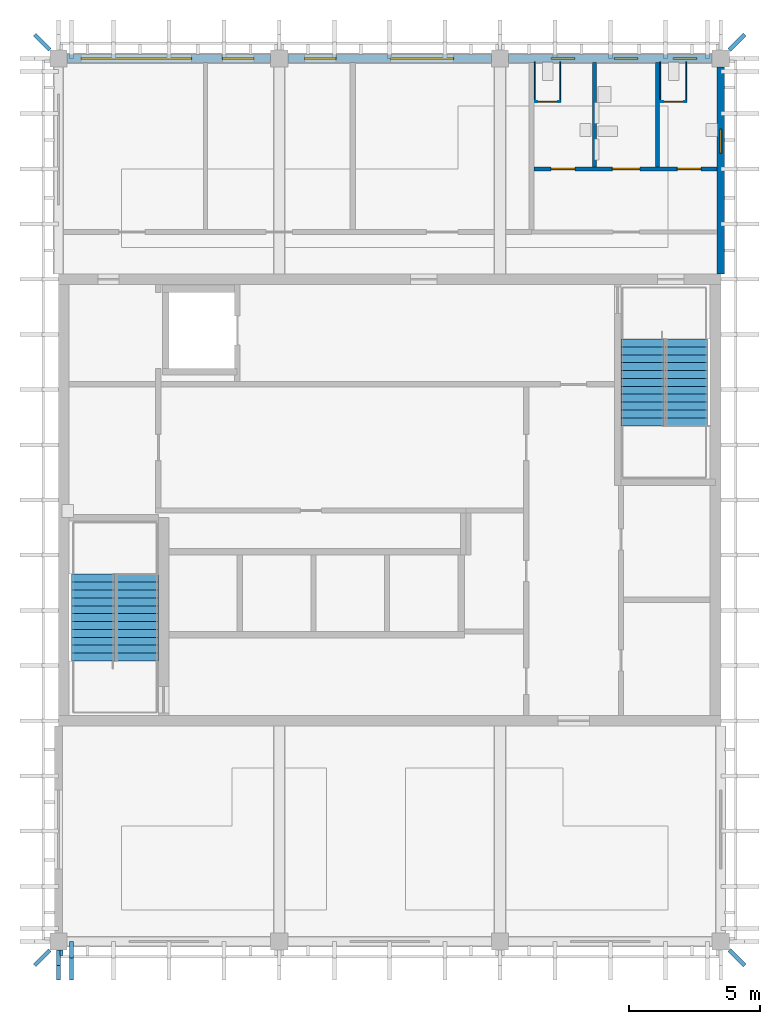
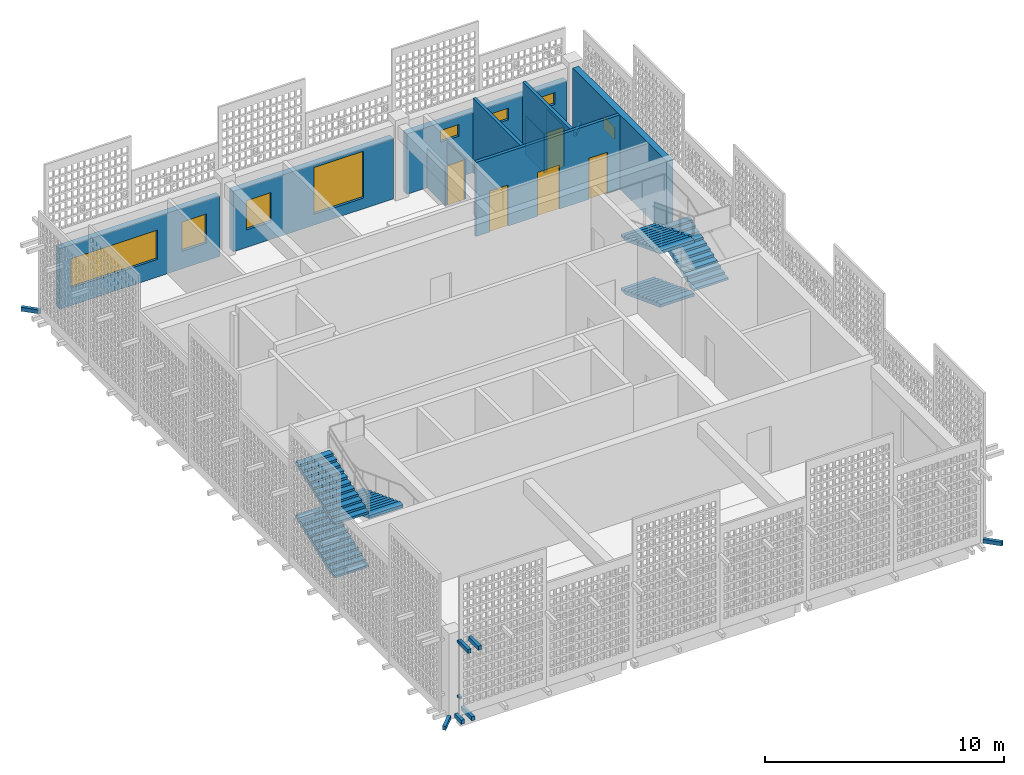
# One storey, part 3 of 23: 13 walls, 10 discrete accessories, 8 windows, 6 stair flights, 5 doors, 13 openings, 2 elements without a shape of their own.
"""IFC4 building model written with IfcOpenShell, lengths in metres."""

from ifc_helpers import new_model, si_unit, direction, frame, frame_2d, origin, origin_2d, place, context, subcontext, project, spatial, polyline, rectangle, outline, extrude, material, layer, layer_set, type_object, element, fill, aggregate, save


model = new_model("IFC4")

# Units and contexts
model_context = context("Model", 3, precision=1e-05, world=origin(), true_north=direction((0.0, 1.0)))
body_context = subcontext(model_context, "Body", "Model", "MODEL_VIEW")
ifc_project = project(units=[si_unit("LENGTHUNIT", "METRE"), si_unit("AREAUNIT", "SQUARE_METRE"), si_unit("VOLUMEUNIT", "CUBIC_METRE"), si_unit("PLANEANGLEUNIT", "RADIAN"), si_unit("MASSUNIT", "GRAM", prefix="KILO")], contexts=[model_context])

# Site, building, storey
site_placement = place(None, origin())
site = spatial("IfcSite", under=ifc_project, at=site_placement, CompositionType="ELEMENT")
building_placement = place(site_placement, origin())
building = spatial("IfcBuilding", under=site, at=building_placement, Name="Rulbaag Community and Learning Centre", CompositionType="ELEMENT")
storey_placement = place(building_placement, frame((0.0, 0.0, 64.800048828125)))
storey = spatial("IfcBuildingStorey", under=building, at=storey_placement, Name="L17", CompositionType="ELEMENT", Elevation=64.800048828125)

# Walls
ifc_material_1 = material(Name="High pressure laminate", Category="wood")
ifc_layer_1 = layer(ifc_material_1, 0.0400390625)
ifc_layer_set_1 = layer_set([ifc_layer_1], Name="CP-40")
wall_type_1 = type_object("IfcWallType", Name="CP-40", PredefinedType="PARTITIONING", material=ifc_layer_set_1)
for number, where, z_axis, x_axis, name in (
    (1, (160.919921875, 117.469970703125, 0.0), (0.0, 0.0, 1.0), (0.0, -1.0, 0.0), "Cubicle partition"),
    (2, (161.889892578125, 117.469970703125, 0.0), (0.0, 0.0, 1.0), (0.0, -1.0, 0.0), "Cubicle partition"),
):
    element("IfcWall", number, at=place(storey_placement, frame(where, z_axis=z_axis, x_axis=x_axis)), inside=storey, type_object=wall_type_1, Name=name, PredefinedType="PARTITIONING", context=body_context, shape_type="SweptSolid", body=[
        extrude(rectangle(XDim=1.5400390625, YDim=0.0400390625, at=frame_2d((0.77001953125, 0.0))), origin(), (0.0, 0.0, 1.0), 2.0),
    ])

# Wall, opening, door
wall_1_placement = place(storey_placement, frame((160.93994140625, 115.949951171875, 0.0), z_axis=(0.0, 0.0, 1.0), x_axis=(1.0, 0.0, 0.0)))
wall_1 = element("IfcWall", 3, at=wall_1_placement, inside=storey, type_object=wall_type_1, Name="Cubicle partition", PredefinedType="PARTITIONING", context=body_context, shape_type="SweptSolid", body=[
    extrude(rectangle(XDim=0.93017578125, YDim=0.0400390625, at=frame_2d((0.465087890625, 0.0))), origin(), (0.0, 0.0, 1.0), 2.0),
])
opening_1_placement = place(wall_1_placement, frame((0.080078125, 0.0, 0.0)))
opening_1 = element("IfcOpeningElement", 4, at=opening_1_placement, cuts=wall_1, Name="Opening L17-D013", PredefinedType="OPENING", context=body_context, shape_type="SweptSolid", body=[
    extrude(rectangle(XDim=0.800048828125, YDim=2.0, at=frame_2d((0.39990234375, 1.0))), frame((0.0, 0.030029296875, 0.0), z_axis=(0.0, -1.0, 0.0), x_axis=(1.0, 0.0, 0.0)), (0.0, 0.0, 1.0), 0.06005859375),
])
door_type_1 = type_object("IfcDoorType", Name="DC-80", OperationType="SINGLE_SWING_LEFT", PredefinedType="DOOR", material=ifc_material_1)
door_1_placement = place(opening_1_placement, origin())
door_1 = element("IfcDoor", 5, at=door_1_placement, inside=storey, type_object=door_type_1, Name="Cubicle door", OperationType="SINGLE_SWING_LEFT", OverallHeight=2.0, OverallWidth=0.800048828125, PredefinedType="DOOR", context=body_context, shape_type="SweptSolid", body=[
    extrude(rectangle(XDim=0.800048828125, YDim=2.0, at=frame_2d((0.39990234375, 1.0))), frame((0.0, 0.019775390625, 0.0), z_axis=(0.0, -1.0, 0.0), x_axis=(1.0, 0.0, 0.0)), (0.0, 0.0, 1.0), 0.03955078125),
])
fill(opening_1, door_1)

# Walls
for number, where, z_axis, x_axis, name in (
    (6, (165.695068359375, 117.469970703125, 0.0), (0.0, 0.0, 1.0), (0.0, -1.0, 0.0), "Cubicle partition"),
    (7, (166.68994140625, 117.469970703125, 0.0), (0.0, 0.0, 1.0), (0.0, -1.0, 0.0), "Cubicle partition"),
):
    element("IfcWall", number, at=place(storey_placement, frame(where, z_axis=z_axis, x_axis=x_axis)), inside=storey, type_object=wall_type_1, Name=name, PredefinedType="PARTITIONING", context=body_context, shape_type="SweptSolid", body=[
        extrude(rectangle(XDim=1.5400390625, YDim=0.0400390625, at=frame_2d((0.77001953125, 0.0))), origin(), (0.0, 0.0, 1.0), 2.0),
    ])

# Wall, opening, door
wall_2_placement = place(storey_placement, frame((165.715087890625, 115.949951171875, 0.0), z_axis=(0.0, 0.0, 1.0), x_axis=(1.0, 0.0, 0.0)))
wall_2 = element("IfcWall", 8, at=wall_2_placement, inside=storey, type_object=wall_type_1, Name="Cubicle partition", PredefinedType="PARTITIONING", context=body_context, shape_type="SweptSolid", body=[
    extrude(rectangle(XDim=0.954833984375, YDim=0.0400390625, at=frame_2d((0.4775390625, 0.0))), origin(), (0.0, 0.0, 1.0), 2.0),
])
opening_2_placement = place(wall_2_placement, frame((0.10498046875, 0.0, 0.0)))
opening_2 = element("IfcOpeningElement", 9, at=opening_2_placement, cuts=wall_2, Name="Opening L17-D023", PredefinedType="OPENING", context=body_context, shape_type="SweptSolid", body=[
    extrude(rectangle(XDim=0.800048828125, YDim=2.0, at=frame_2d((0.39990234375, 1.0))), frame((0.0, 0.030029296875, 0.0), z_axis=(0.0, -1.0, 0.0), x_axis=(1.0, 0.0, 0.0)), (0.0, 0.0, 1.0), 0.06005859375),
])
door_2_placement = place(opening_2_placement, origin())
door_2 = element("IfcDoor", 10, at=door_2_placement, inside=storey, type_object=door_type_1, Name="Cubicle door", OperationType="SINGLE_SWING_LEFT", OverallHeight=2.0, OverallWidth=0.800048828125, PredefinedType="DOOR", context=body_context, shape_type="SweptSolid", body=[
    extrude(rectangle(XDim=0.800048828125, YDim=2.0, at=frame_2d((0.39990234375, 1.0))), frame((0.0, 0.019775390625, 0.0), z_axis=(0.0, -1.0, 0.0), x_axis=(1.0, 0.0, 0.0)), (0.0, 0.0, 1.0), 0.03955078125),
])
fill(opening_2, door_2)

# Wall, openings, windows
ifc_material_2 = material(Name="Concrete M40", Category="concrete")
ifc_layer_2 = layer(ifc_material_2, 0.300048828125)
ifc_layer_set_2 = layer_set([ifc_layer_2], Name="EW-CONC300-120")
wall_type_2 = type_object("IfcWallType", Name="EW-CONC300-120", PredefinedType="STANDARD", material=ifc_layer_set_2)
wall_3_placement = place(storey_placement, frame((143.125, 117.60009765625, 0.0), z_axis=(0.0, 0.0, 1.0), x_axis=(1.0, 0.0, 0.0)))
wall_3 = element("IfcWall", 11, at=wall_3_placement, inside=storey, type_object=wall_type_2, Name="Board-marked concrete cladding wall BN", PredefinedType="STANDARD", context=body_context, shape_type="SweptSolid", body=[
    extrude(rectangle(XDim=7.75, YDim=0.300048828125, at=frame_2d((3.875, 0.0))), origin(), (0.0, 0.0, 1.0), 3.099853515625),
])
opening_3_placement = place(wall_3_placement, frame((0.53759765625, 0.0, 0.89990234375)))
opening_3 = element("IfcOpeningElement", 12, at=opening_3_placement, cuts=wall_3, Name="Opening WN4", PredefinedType="OPENING", context=body_context, shape_type="SweptSolid", body=[
    extrude(rectangle(XDim=4.199951171875, YDim=1.5, at=frame_2d((2.10009765625, 0.75))), frame((0.0, 0.159912109375, 0.0), z_axis=(0.0, -1.0, 0.0), x_axis=(1.0, 0.0, 0.0)), (0.0, 0.0, 1.0), 0.320068359375),
])
opening_4_placement = place(wall_3_placement, frame((5.91259765625, 0.0, 0.89990234375)))
opening_4 = element("IfcOpeningElement", 13, at=opening_4_placement, cuts=wall_3, Name="Opening WN1", PredefinedType="OPENING", context=body_context, shape_type="SweptSolid", body=[
    extrude(rectangle(XDim=1.199951171875, YDim=1.5, at=frame_2d((0.60009765625, 0.75))), frame((0.0, 0.159912109375, 0.0), z_axis=(0.0, -1.0, 0.0), x_axis=(1.0, 0.0, 0.0)), (0.0, 0.0, 1.0), 0.320068359375),
])
ifc_material_3 = material(Name="Aluminium", Category="aluminium")
window_type_1 = type_object("IfcWindowType", Name="WN-12", PartitioningType="SINGLE_PANEL", PredefinedType="WINDOW", material=ifc_material_3)
window_1_placement = place(opening_4_placement, origin())
window_1 = element("IfcWindow", 14, at=window_1_placement, inside=storey, type_object=window_type_1, Name="Window WN1", OverallHeight=1.5, OverallWidth=1.199951171875, PartitioningType="SINGLE_PANEL", PredefinedType="WINDOW", context=body_context, shape_type="SweptSolid", body=[
    extrude(rectangle(XDim=1.199951171875, YDim=1.5, at=frame_2d((0.60009765625, 0.75))), frame((0.0, 0.030029296875, 0.0), z_axis=(0.0, -1.0, 0.0), x_axis=(1.0, 0.0, 0.0)), (0.0, 0.0, 1.0), 0.06005859375),
])
fill(opening_4, window_1)
window_type_2 = type_object("IfcWindowType", Name="WN-42", PartitioningType="TRIPLE_PANEL_VERTICAL", PredefinedType="WINDOW", material=ifc_material_3)
window_2_placement = place(opening_3_placement, origin())
window_2 = element("IfcWindow", 15, at=window_2_placement, inside=storey, type_object=window_type_2, Name="Window WN4", OverallHeight=1.5, OverallWidth=4.199951171875, PartitioningType="SINGLE_PANEL", PredefinedType="WINDOW", context=body_context, shape_type="SweptSolid", body=[
    extrude(rectangle(XDim=4.199951171875, YDim=1.5, at=frame_2d((2.10009765625, 0.75))), frame((0.0, 0.030029296875, 0.0), z_axis=(0.0, -1.0, 0.0), x_axis=(1.0, 0.0, 0.0)), (0.0, 0.0, 1.0), 0.06005859375),
])
fill(opening_3, window_2)

wall_4_placement = place(storey_placement, frame((151.52490234375, 117.60009765625, 0.0), z_axis=(0.0, 0.0, 1.0), x_axis=(1.0, 0.0, 0.0)))
wall_4 = element("IfcWall", 16, at=wall_4_placement, inside=storey, type_object=wall_type_2, Name="Board-marked concrete cladding wall BN", PredefinedType="STANDARD", context=body_context, shape_type="SweptSolid", body=[
    extrude(rectangle(XDim=7.75, YDim=0.300048828125, at=frame_2d((3.875, 0.0))), origin(), (0.0, 0.0, 1.0), 3.099853515625),
])
opening_5_placement = place(wall_4_placement, frame((0.637451171875, 0.0, 0.89990234375)))
opening_5 = element("IfcOpeningElement", 17, at=opening_5_placement, cuts=wall_4, Name="Opening WN1", PredefinedType="OPENING", context=body_context, shape_type="SweptSolid", body=[
    extrude(rectangle(XDim=1.199951171875, YDim=1.5, at=frame_2d((0.60009765625, 0.75))), frame((0.0, 0.159912109375, 0.0), z_axis=(0.0, -1.0, 0.0), x_axis=(1.0, 0.0, 0.0)), (0.0, 0.0, 1.0), 0.320068359375),
])
opening_6_placement = place(wall_4_placement, frame((3.91259765625, 0.0, 0.550048828125)))
opening_6 = element("IfcOpeningElement", 18, at=opening_6_placement, cuts=wall_4, Name="Opening WN8", PredefinedType="OPENING", context=body_context, shape_type="SweptSolid", body=[
    extrude(rectangle(XDim=2.39990234375, YDim=2.39990234375, at=frame_2d((1.199951171875, 1.199951171875))), frame((0.0, 0.159912109375, 0.0), z_axis=(0.0, -1.0, 0.0), x_axis=(1.0, 0.0, 0.0)), (0.0, 0.0, 1.0), 0.320068359375),
])
window_type_3 = type_object("IfcWindowType", Name="LV-24", PartitioningType="SINGLE_PANEL", PredefinedType="WINDOW", material=ifc_material_3)
window_3_placement = place(opening_6_placement, origin())
window_3 = element("IfcWindow", 19, at=window_3_placement, inside=storey, type_object=window_type_3, Name="Window WN8", OverallHeight=2.39990234375, OverallWidth=2.39990234375, PartitioningType="SINGLE_PANEL", PredefinedType="WINDOW", context=body_context, shape_type="SweptSolid", body=[
    extrude(rectangle(XDim=2.39990234375, YDim=2.39990234375, at=frame_2d((1.199951171875, 1.199951171875))), frame((0.0, 0.030029296875, 0.0), z_axis=(0.0, -1.0, 0.0), x_axis=(1.0, 0.0, 0.0)), (0.0, 0.0, 1.0), 0.06005859375),
])
fill(opening_6, window_3)
window_4_placement = place(opening_5_placement, origin())
window_4 = element("IfcWindow", 20, at=window_4_placement, inside=storey, type_object=window_type_1, Name="Window WN1", OverallHeight=1.5, OverallWidth=1.199951171875, PartitioningType="SINGLE_PANEL", PredefinedType="WINDOW", context=body_context, shape_type="SweptSolid", body=[
    extrude(rectangle(XDim=1.199951171875, YDim=1.5, at=frame_2d((0.60009765625, 0.75))), frame((0.0, 0.030029296875, 0.0), z_axis=(0.0, -1.0, 0.0), x_axis=(1.0, 0.0, 0.0)), (0.0, 0.0, 1.0), 0.06005859375),
])
fill(opening_5, window_4)

wall_5_placement = place(storey_placement, frame((159.925048828125, 117.60009765625, 0.0), z_axis=(0.0, 0.0, 1.0), x_axis=(1.0, 0.0, 0.0)))
wall_5 = element("IfcWall", 21, at=wall_5_placement, inside=storey, type_object=wall_type_2, Name="Board-marked concrete cladding wall BN", PredefinedType="STANDARD", context=body_context, shape_type="SweptSolid", body=[
    extrude(rectangle(XDim=7.75, YDim=0.300048828125, at=frame_2d((3.875, 0.0))), origin(), (0.0, 0.0, 1.0), 3.099853515625),
])
opening_7_placement = place(wall_5_placement, frame((1.625, 0.0, 2.10009765625)))
opening_7 = element("IfcOpeningElement", 22, at=opening_7_placement, cuts=wall_5, Name="Opening WN5", PredefinedType="OPENING", context=body_context, shape_type="SweptSolid", body=[
    extrude(rectangle(XDim=0.89990234375, YDim=0.60009765625, at=frame_2d((0.449951171875, 0.300048828125))), frame((0.0, 0.159912109375, 0.0), z_axis=(0.0, -1.0, 0.0), x_axis=(1.0, 0.0, 0.0)), (0.0, 0.0, 1.0), 0.320068359375),
])
opening_8_placement = place(wall_5_placement, frame((4.02490234375, 0.0, 2.10009765625)))
opening_8 = element("IfcOpeningElement", 23, at=opening_8_placement, cuts=wall_5, Name="Opening WN5", PredefinedType="OPENING", context=body_context, shape_type="SweptSolid", body=[
    extrude(rectangle(XDim=0.89990234375, YDim=0.60009765625, at=frame_2d((0.449951171875, 0.300048828125))), frame((0.0, 0.159912109375, 0.0), z_axis=(0.0, -1.0, 0.0), x_axis=(1.0, 0.0, 0.0)), (0.0, 0.0, 1.0), 0.320068359375),
])
opening_9_placement = place(wall_5_placement, frame((6.262451171875, 0.0, 2.10009765625)))
opening_9 = element("IfcOpeningElement", 24, at=opening_9_placement, cuts=wall_5, Name="Opening WN5", PredefinedType="OPENING", context=body_context, shape_type="SweptSolid", body=[
    extrude(rectangle(XDim=0.89990234375, YDim=0.60009765625, at=frame_2d((0.449951171875, 0.300048828125))), frame((0.0, 0.159912109375, 0.0), z_axis=(0.0, -1.0, 0.0), x_axis=(1.0, 0.0, 0.0)), (0.0, 0.0, 1.0), 0.320068359375),
])
window_type_4 = type_object("IfcWindowType", Name="WK-09", PartitioningType="SINGLE_PANEL", PredefinedType="WINDOW", material=ifc_material_3)
window_5_placement = place(opening_7_placement, origin())
window_5 = element("IfcWindow", 25, at=window_5_placement, inside=storey, type_object=window_type_4, Name="Window WN5", OverallHeight=0.60009765625, OverallWidth=0.89990234375, PartitioningType="SINGLE_PANEL", PredefinedType="WINDOW", context=body_context, shape_type="SweptSolid", body=[
    extrude(rectangle(XDim=0.89990234375, YDim=0.60009765625, at=frame_2d((0.449951171875, 0.300048828125))), frame((0.0, 0.030029296875, 0.0), z_axis=(0.0, -1.0, 0.0), x_axis=(1.0, 0.0, 0.0)), (0.0, 0.0, 1.0), 0.06005859375),
])
fill(opening_7, window_5)
window_6_placement = place(opening_8_placement, origin())
window_6 = element("IfcWindow", 26, at=window_6_placement, inside=storey, type_object=window_type_4, Name="Window WN5", OverallHeight=0.60009765625, OverallWidth=0.89990234375, PartitioningType="SINGLE_PANEL", PredefinedType="WINDOW", context=body_context, shape_type="SweptSolid", body=[
    extrude(rectangle(XDim=0.89990234375, YDim=0.60009765625, at=frame_2d((0.449951171875, 0.300048828125))), frame((0.0, 0.030029296875, 0.0), z_axis=(0.0, -1.0, 0.0), x_axis=(1.0, 0.0, 0.0)), (0.0, 0.0, 1.0), 0.06005859375),
])
fill(opening_8, window_6)
window_7_placement = place(opening_9_placement, origin())
window_7 = element("IfcWindow", 27, at=window_7_placement, inside=storey, type_object=window_type_4, Name="Window WN5", OverallHeight=0.60009765625, OverallWidth=0.89990234375, PartitioningType="SINGLE_PANEL", PredefinedType="WINDOW", context=body_context, shape_type="SweptSolid", body=[
    extrude(rectangle(XDim=0.89990234375, YDim=0.60009765625, at=frame_2d((0.449951171875, 0.300048828125))), frame((0.0, 0.030029296875, 0.0), z_axis=(0.0, -1.0, 0.0), x_axis=(1.0, 0.0, 0.0)), (0.0, 0.0, 1.0), 0.06005859375),
])
fill(opening_9, window_7)

# Wall, opening, window
wall_6_placement = place(storey_placement, frame((168.0, 109.39990234375, 0.0), z_axis=(0.0, 0.0, 1.0), x_axis=(0.0, 1.0, 0.0)))
wall_6 = element("IfcWall", 28, at=wall_6_placement, inside=storey, type_object=wall_type_2, Name="Board-marked concrete cladding wall BE", PredefinedType="STANDARD", context=body_context, shape_type="SweptSolid", body=[
    extrude(rectangle(XDim=7.875, YDim=0.300048828125, at=frame_2d((3.9375, 0.0))), origin(), (0.0, 0.0, 1.0), 3.800048828125),
])
opening_10_placement = place(wall_6_placement, frame((4.60009765625, 0.0, 2.10009765625)))
opening_10 = element("IfcOpeningElement", 29, at=opening_10_placement, cuts=wall_6, Name="Opening WN5", PredefinedType="OPENING", context=body_context, shape_type="SweptSolid", body=[
    extrude(rectangle(XDim=0.89990234375, YDim=0.60009765625, at=frame_2d((0.449951171875, 0.300048828125))), frame((0.0, 0.159912109375, 0.0), z_axis=(0.0, -1.0, 0.0), x_axis=(1.0, 0.0, 0.0)), (0.0, 0.0, 1.0), 0.320068359375),
])
window_8_placement = place(opening_10_placement, origin())
window_8 = element("IfcWindow", 30, at=window_8_placement, inside=storey, type_object=window_type_4, Name="Window WN5", OverallHeight=0.60009765625, OverallWidth=0.89990234375, PartitioningType="SINGLE_PANEL", PredefinedType="WINDOW", context=body_context, shape_type="SweptSolid", body=[
    extrude(rectangle(XDim=0.89990234375, YDim=0.60009765625, at=frame_2d((0.449951171875, 0.300048828125))), frame((0.0, 0.030029296875, 0.0), z_axis=(0.0, -1.0, 0.0), x_axis=(1.0, 0.0, 0.0)), (0.0, 0.0, 1.0), 0.06005859375),
])
fill(opening_10, window_8)

# Wall, openings, doors
ifc_material_4 = material(Name="Concrete blockwork", Category="masonry")
ifc_layer_3 = layer(ifc_material_4, 0.14990234375)
ifc_layer_set_3 = layer_set([ifc_layer_3], Name="IP-150 PARTITION 150")
wall_type_3 = type_object("IfcWallType", Name="IP-150 PARTITION 150", PredefinedType="PARTITIONING", material=ifc_layer_set_3)
wall_7_placement = place(storey_placement, frame((160.89990234375, 113.39990234375, 0.0), z_axis=(0.0, 0.0, 1.0), x_axis=(1.0, 0.0, 0.0)))
wall_7 = element("IfcWall", 31, at=wall_7_placement, inside=storey, type_object=wall_type_3, Name="Partition L17 10", PredefinedType="PARTITIONING", context=body_context, shape_type="SweptSolid", body=[
    extrude(rectangle(XDim=6.9501953125, YDim=0.14990234375, at=frame_2d((3.47509765625, 0.0))), origin(), (0.0, 0.0, 1.0), 3.800048828125),
])
opening_11_placement = place(wall_7_placement, frame((0.64990234375, 0.0, 0.0)))
opening_11 = element("IfcOpeningElement", 32, at=opening_11_placement, cuts=wall_7, Name="Opening L17-D014", PredefinedType="OPENING", context=body_context, shape_type="SweptSolid", body=[
    extrude(rectangle(XDim=0.89990234375, YDim=2.10009765625, at=frame_2d((0.449951171875, 1.050048828125))), frame((0.0, 0.0849609375, 0.0), z_axis=(0.0, -1.0, 0.0), x_axis=(1.0, 0.0, 0.0)), (0.0, 0.0, 1.0), 0.169921875),
])
opening_12_placement = place(wall_7_placement, frame((2.97509765625, 0.0, 0.0)))
opening_12 = element("IfcOpeningElement", 33, at=opening_12_placement, cuts=wall_7, Name="Opening L17-D021", PredefinedType="OPENING", context=body_context, shape_type="SweptSolid", body=[
    extrude(rectangle(XDim=1.050048828125, YDim=2.25, at=frame_2d((0.52490234375, 1.125))), frame((0.0, 0.0849609375, 0.0), z_axis=(0.0, -1.0, 0.0), x_axis=(1.0, 0.0, 0.0)), (0.0, 0.0, 1.0), 0.169921875),
])
opening_13_placement = place(wall_7_placement, frame((5.449951171875, 0.0, 0.0)))
opening_13 = element("IfcOpeningElement", 34, at=opening_13_placement, cuts=wall_7, Name="Opening L17-D024", PredefinedType="OPENING", context=body_context, shape_type="SweptSolid", body=[
    extrude(rectangle(XDim=0.89990234375, YDim=2.10009765625, at=frame_2d((0.449951171875, 1.050048828125))), frame((0.0, 0.0849609375, 0.0), z_axis=(0.0, -1.0, 0.0), x_axis=(1.0, 0.0, 0.0)), (0.0, 0.0, 1.0), 0.169921875),
])
ifc_material_5 = material(Name="Timber", Category="wood")
door_type_2 = type_object("IfcDoorType", Name="D-1050 ACCESSIBLE TOILET DOOR 1050 x 2250", OperationType="SINGLE_SWING_LEFT", PredefinedType="DOOR", material=ifc_material_5)
door_3_placement = place(opening_12_placement, origin())
door_3 = element("IfcDoor", 35, at=door_3_placement, inside=storey, type_object=door_type_2, Name="Door L17-D021", OperationType="SINGLE_SWING_LEFT", OverallHeight=2.25, OverallWidth=1.050048828125, PredefinedType="DOOR", context=body_context, shape_type="SweptSolid", body=[
    extrude(rectangle(XDim=1.050048828125, YDim=2.25, at=frame_2d((0.52490234375, 1.125))), frame((0.0, 0.02490234375, 0.0), z_axis=(0.0, -1.0, 0.0), x_axis=(1.0, 0.0, 0.0)), (0.0, 0.0, 1.0), 0.050048828125),
])
fill(opening_12, door_3)
door_type_3 = type_object("IfcDoorType", Name="DW-900 TOILET DOOR 900 x 2100", OperationType="SINGLE_SWING_LEFT", PredefinedType="DOOR", material=ifc_material_5)
door_4_placement = place(opening_11_placement, origin())
door_4 = element("IfcDoor", 36, at=door_4_placement, inside=storey, type_object=door_type_3, Name="Door L17-D014", OperationType="SINGLE_SWING_RIGHT", OverallHeight=2.10009765625, OverallWidth=0.89990234375, PredefinedType="DOOR", context=body_context, shape_type="SweptSolid", body=[
    extrude(rectangle(XDim=0.89990234375, YDim=2.10009765625, at=frame_2d((0.449951171875, 1.050048828125))), frame((0.0, 0.02490234375, 0.0), z_axis=(0.0, -1.0, 0.0), x_axis=(1.0, 0.0, 0.0)), (0.0, 0.0, 1.0), 0.050048828125),
])
fill(opening_11, door_4)
door_5_placement = place(opening_13_placement, origin())
door_5 = element("IfcDoor", 37, at=door_5_placement, inside=storey, type_object=door_type_3, Name="Door L17-D024", OperationType="SINGLE_SWING_LEFT", OverallHeight=2.10009765625, OverallWidth=0.89990234375, PredefinedType="DOOR", context=body_context, shape_type="SweptSolid", body=[
    extrude(rectangle(XDim=0.89990234375, YDim=2.10009765625, at=frame_2d((0.449951171875, 1.050048828125))), frame((0.0, 0.02490234375, 0.0), z_axis=(0.0, -1.0, 0.0), x_axis=(1.0, 0.0, 0.0)), (0.0, 0.0, 1.0), 0.050048828125),
])
fill(opening_13, door_5)

# Walls
for number, where, z_axis, x_axis, name in (
    (38, (163.199951171875, 113.47509765625, 0.0), (0.0, 0.0, 1.0), (0.0, 1.0, 0.0), "Partition L17 20"),
    (39, (165.60009765625, 113.47509765625, 0.0), (0.0, 0.0, 1.0), (0.0, 1.0, 0.0), "Partition L17 22"),
):
    element("IfcWall", number, at=place(storey_placement, frame(where, z_axis=z_axis, x_axis=x_axis)), inside=storey, type_object=wall_type_3, Name=name, PredefinedType="PARTITIONING", context=body_context, shape_type="SweptSolid", body=[
        extrude(rectangle(XDim=3.974853515625, YDim=0.14990234375, at=frame_2d((1.9873046875, 0.0))), origin(), (0.0, 0.0, 1.0), 3.800048828125),
    ])

# Stair, stair flights
stair_type = type_object("IfcStairType", Name="ST-1650 STAIR 1650 WIDE", PredefinedType="HALF_TURN_STAIR", material=ifc_material_2)
stair_1_placement = place(storey_placement, origin())
stair_1 = element("IfcStair", 40, at=stair_1_placement, inside=storey, type_object=stair_type, Name="Stair ST1 L17", PredefinedType="HALF_TURN_STAIR")
stair_flight_type = type_object("IfcStairFlightType", Name="FL-1650 FLIGHT 1650 WIDE Concrete M40", PredefinedType="STRAIGHT", material=ifc_material_2)
stair_flight_1_placement = place(storey_placement, frame((144.125, 94.675048828125, 0.0), z_axis=(0.0, 0.0, 1.0), x_axis=(0.0, 1.0, 0.0)))
stair_flight_1 = element("IfcStairFlight", 41, at=stair_flight_1_placement, type_object=stair_flight_type, Name="ST1 flight 1", NumberOfRisers=12, NumberOfTreads=11, PredefinedType="STRAIGHT", RiserHeight=0.113888889, TreadLength=0.3, context=body_context, shape_type="SweptSolid", body=[
    extrude(outline(polyline([(0.0, 0.0), (0.0, 0.11376953125), (0.300048828125, 0.11376953125), (0.300048828125, 0.227783203125), (0.60009765625, 0.227783203125), (0.60009765625, 0.341552734375), (0.89990234375, 0.341552734375), (0.89990234375, 0.45556640625), (1.199951171875, 0.45556640625), (1.199951171875, 0.5693359375), (1.5, 0.5693359375), (1.5, 0.683349609375), (1.800048828125, 0.683349609375), (1.800048828125, 0.797119140625), (2.10009765625, 0.797119140625), (2.10009765625, 0.9111328125), (2.39990234375, 0.9111328125), (2.39990234375, 1.02490234375), (2.699951171875, 1.02490234375), (2.699951171875, 1.138916015625), (3.0, 1.138916015625), (3.0, 1.252685546875), (3.300048828125, 1.252685546875), (3.300048828125, 1.10302734375), (0.39404296875, 0.0), (0.0, 0.0)])), frame((0.0, 0.824951171875, 0.0), z_axis=(0.0, -1.0, 0.0), x_axis=(1.0, 0.0, 0.0)), (0.0, 0.0, 1.0), 1.64990234375),
])
stair_flight_2_placement = place(storey_placement, frame((145.77490234375, 97.97509765625, 1.36669921875), z_axis=(0.0, 0.0, 1.0), x_axis=(0.0, -1.0, 0.0)))
stair_flight_2 = element("IfcStairFlight", 42, at=stair_flight_2_placement, type_object=stair_flight_type, Name="ST1 flight 2", NumberOfRisers=12, NumberOfTreads=11, PredefinedType="STRAIGHT", RiserHeight=0.113888889, TreadLength=0.3, context=body_context, shape_type="SweptSolid", body=[
    extrude(outline(polyline([(0.0, 0.0), (0.0, 0.11376953125), (0.300048828125, 0.11376953125), (0.300048828125, 0.227783203125), (0.60009765625, 0.227783203125), (0.60009765625, 0.341552734375), (0.89990234375, 0.341552734375), (0.89990234375, 0.45556640625), (1.199951171875, 0.45556640625), (1.199951171875, 0.5693359375), (1.5, 0.5693359375), (1.5, 0.683349609375), (1.800048828125, 0.683349609375), (1.800048828125, 0.797119140625), (2.10009765625, 0.797119140625), (2.10009765625, 0.9111328125), (2.39990234375, 0.9111328125), (2.39990234375, 1.02490234375), (2.699951171875, 1.02490234375), (2.699951171875, 1.138916015625), (3.0, 1.138916015625), (3.0, 1.252685546875), (3.300048828125, 1.252685546875), (3.300048828125, 1.10302734375), (0.39404296875, 0.0), (0.0, 0.0)])), frame((0.0, 0.824951171875, 0.0), z_axis=(0.0, -1.0, 0.0), x_axis=(1.0, 0.0, 0.0)), (0.0, 0.0, 1.0), 1.64990234375),
])
stair_flight_3_placement = place(storey_placement, frame((144.125, 94.675048828125, 2.733154296875), z_axis=(0.0, 0.0, 1.0), x_axis=(0.0, 1.0, 0.0)))
stair_flight_3 = element("IfcStairFlight", 43, at=stair_flight_3_placement, type_object=stair_flight_type, Name="ST1 flight 3", NumberOfRisers=12, NumberOfTreads=11, PredefinedType="STRAIGHT", RiserHeight=0.113888889, TreadLength=0.3, context=body_context, shape_type="SweptSolid", body=[
    extrude(outline(polyline([(0.0, 0.0), (0.0, 0.11376953125), (0.300048828125, 0.11376953125), (0.300048828125, 0.227783203125), (0.60009765625, 0.227783203125), (0.60009765625, 0.341552734375), (0.89990234375, 0.341552734375), (0.89990234375, 0.45556640625), (1.199951171875, 0.45556640625), (1.199951171875, 0.5693359375), (1.5, 0.5693359375), (1.5, 0.683349609375), (1.800048828125, 0.683349609375), (1.800048828125, 0.797119140625), (2.10009765625, 0.797119140625), (2.10009765625, 0.9111328125), (2.39990234375, 0.9111328125), (2.39990234375, 1.02490234375), (2.699951171875, 1.02490234375), (2.699951171875, 1.138916015625), (3.0, 1.138916015625), (3.0, 1.252685546875), (3.300048828125, 1.252685546875), (3.300048828125, 1.10302734375), (0.39404296875, 0.0), (0.0, 0.0)])), frame((0.0, 0.824951171875, 0.0), z_axis=(0.0, -1.0, 0.0), x_axis=(1.0, 0.0, 0.0)), (0.0, 0.0, 1.0), 1.64990234375),
])
aggregate(stair_1, [stair_flight_1, stair_flight_2, stair_flight_3])

stair_2_placement = place(storey_placement, origin())
stair_2 = element("IfcStair", 44, at=stair_2_placement, inside=storey, type_object=stair_type, Name="Stair ST2 L17", PredefinedType="HALF_TURN_STAIR")
stair_flight_4_placement = place(storey_placement, frame((165.02490234375, 106.925048828125, 0.0), z_axis=(0.0, 0.0, 1.0), x_axis=(0.0, -1.0, 0.0)))
stair_flight_4 = element("IfcStairFlight", 45, at=stair_flight_4_placement, type_object=stair_flight_type, Name="ST2 flight 1", NumberOfRisers=12, NumberOfTreads=11, PredefinedType="STRAIGHT", RiserHeight=0.113888889, TreadLength=0.3, context=body_context, shape_type="SweptSolid", body=[
    extrude(outline(polyline([(0.0, 0.0), (0.0, 0.11376953125), (0.300048828125, 0.11376953125), (0.300048828125, 0.227783203125), (0.60009765625, 0.227783203125), (0.60009765625, 0.341552734375), (0.89990234375, 0.341552734375), (0.89990234375, 0.45556640625), (1.199951171875, 0.45556640625), (1.199951171875, 0.5693359375), (1.5, 0.5693359375), (1.5, 0.683349609375), (1.800048828125, 0.683349609375), (1.800048828125, 0.797119140625), (2.10009765625, 0.797119140625), (2.10009765625, 0.9111328125), (2.39990234375, 0.9111328125), (2.39990234375, 1.02490234375), (2.699951171875, 1.02490234375), (2.699951171875, 1.138916015625), (3.0, 1.138916015625), (3.0, 1.252685546875), (3.300048828125, 1.252685546875), (3.300048828125, 1.10302734375), (0.39404296875, 0.0), (0.0, 0.0)])), frame((0.0, 0.824951171875, 0.0), z_axis=(0.0, -1.0, 0.0), x_axis=(1.0, 0.0, 0.0)), (0.0, 0.0, 1.0), 1.64990234375),
])
stair_flight_5_placement = place(storey_placement, frame((166.675048828125, 103.625, 1.36669921875), z_axis=(0.0, 0.0, 1.0), x_axis=(0.0, 1.0, 0.0)))
stair_flight_5 = element("IfcStairFlight", 46, at=stair_flight_5_placement, type_object=stair_flight_type, Name="ST2 flight 2", NumberOfRisers=12, NumberOfTreads=11, PredefinedType="STRAIGHT", RiserHeight=0.113888889, TreadLength=0.3, context=body_context, shape_type="SweptSolid", body=[
    extrude(outline(polyline([(0.0, 0.0), (0.0, 0.11376953125), (0.300048828125, 0.11376953125), (0.300048828125, 0.227783203125), (0.60009765625, 0.227783203125), (0.60009765625, 0.341552734375), (0.89990234375, 0.341552734375), (0.89990234375, 0.45556640625), (1.199951171875, 0.45556640625), (1.199951171875, 0.5693359375), (1.5, 0.5693359375), (1.5, 0.683349609375), (1.800048828125, 0.683349609375), (1.800048828125, 0.797119140625), (2.10009765625, 0.797119140625), (2.10009765625, 0.9111328125), (2.39990234375, 0.9111328125), (2.39990234375, 1.02490234375), (2.699951171875, 1.02490234375), (2.699951171875, 1.138916015625), (3.0, 1.138916015625), (3.0, 1.252685546875), (3.300048828125, 1.252685546875), (3.300048828125, 1.10302734375), (0.39404296875, 0.0), (0.0, 0.0)])), frame((0.0, 0.824951171875, 0.0), z_axis=(0.0, -1.0, 0.0), x_axis=(1.0, 0.0, 0.0)), (0.0, 0.0, 1.0), 1.64990234375),
])
stair_flight_6_placement = place(storey_placement, frame((165.02490234375, 106.925048828125, 2.733154296875), z_axis=(0.0, 0.0, 1.0), x_axis=(0.0, -1.0, 0.0)))
stair_flight_6 = element("IfcStairFlight", 47, at=stair_flight_6_placement, type_object=stair_flight_type, Name="ST2 flight 3", NumberOfRisers=12, NumberOfTreads=11, PredefinedType="STRAIGHT", RiserHeight=0.113888889, TreadLength=0.3, context=body_context, shape_type="SweptSolid", body=[
    extrude(outline(polyline([(0.0, 0.0), (0.0, 0.11376953125), (0.300048828125, 0.11376953125), (0.300048828125, 0.227783203125), (0.60009765625, 0.227783203125), (0.60009765625, 0.341552734375), (0.89990234375, 0.341552734375), (0.89990234375, 0.45556640625), (1.199951171875, 0.45556640625), (1.199951171875, 0.5693359375), (1.5, 0.5693359375), (1.5, 0.683349609375), (1.800048828125, 0.683349609375), (1.800048828125, 0.797119140625), (2.10009765625, 0.797119140625), (2.10009765625, 0.9111328125), (2.39990234375, 0.9111328125), (2.39990234375, 1.02490234375), (2.699951171875, 1.02490234375), (2.699951171875, 1.138916015625), (3.0, 1.138916015625), (3.0, 1.252685546875), (3.300048828125, 1.252685546875), (3.300048828125, 1.10302734375), (0.39404296875, 0.0), (0.0, 0.0)])), frame((0.0, 0.824951171875, 0.0), z_axis=(0.0, -1.0, 0.0), x_axis=(1.0, 0.0, 0.0)), (0.0, 0.0, 1.0), 1.64990234375),
])
aggregate(stair_2, [stair_flight_4, stair_flight_5, stair_flight_6])

# Discrete accessories
ifc_material_6 = material(Name="Steel E350", Category="steel")
discrete_accessory_type_1 = type_object("IfcDiscreteAccessoryType", Name="BR-FN", PredefinedType="BRACKET", material=ifc_material_6)
discrete_accessory_1_placement = place(storey_placement, frame((142.800048828125, 83.38134765625, -0.25), z_axis=(0.0, 0.0, 1.0), x_axis=(1.0, 0.0, 0.0)))
element("IfcDiscreteAccessory", 48, at=discrete_accessory_1_placement, inside=storey, type_object=discrete_accessory_type_1, Name="Fin arm", PredefinedType="BRACKET", context=body_context, shape_type="SweptSolid", body=[
    extrude(rectangle(XDim=0.14990234375, YDim=0.587158203125, at=origin_2d()), origin(), (0.0, 0.0, 1.0), 0.199951171875),
])
discrete_accessory_2_placement = place(storey_placement, frame((142.800048828125, 82.955322265625, 3.7001953125), z_axis=(0.0, 0.0, 1.0), x_axis=(1.0, 0.0, 0.0)))
element("IfcDiscreteAccessory", 49, at=discrete_accessory_2_placement, inside=storey, type_object=discrete_accessory_type_1, Name="Fin arm", PredefinedType="BRACKET", context=body_context, shape_type="SweptSolid", body=[
    extrude(rectangle(XDim=0.14990234375, YDim=0.83935546875, at=origin_2d()), origin(), (0.0, 0.0, 1.0), 0.199951171875),
])
discrete_accessory_3_placement = place(storey_placement, frame((143.300048828125, 83.5439453125, -0.25), z_axis=(0.0, 0.0, 1.0), x_axis=(1.0, 0.0, 0.0)))
element("IfcDiscreteAccessory", 50, at=discrete_accessory_3_placement, inside=storey, type_object=discrete_accessory_type_1, Name="Fin arm", PredefinedType="BRACKET", context=body_context, shape_type="SweptSolid", body=[
    extrude(rectangle(XDim=0.14990234375, YDim=0.912109375, at=origin_2d()), origin(), (0.0, 0.0, 1.0), 0.199951171875),
])
discrete_accessory_4_placement = place(storey_placement, frame((143.300048828125, 82.955322265625, 3.7001953125), z_axis=(0.0, 0.0, 1.0), x_axis=(1.0, 0.0, 0.0)))
element("IfcDiscreteAccessory", 51, at=discrete_accessory_4_placement, inside=storey, type_object=discrete_accessory_type_1, Name="Fin arm", PredefinedType="BRACKET", context=body_context, shape_type="SweptSolid", body=[
    extrude(rectangle(XDim=0.14990234375, YDim=0.83935546875, at=origin_2d()), origin(), (0.0, 0.0, 1.0), 0.199951171875),
])
for number, where, z_axis, x_axis, name in (
    (52, (142.181396484375, 83.38134765625, -0.25), (0.0, 0.0, 1.0), (0.707106781187, 0.707106781187, 0.0), "Fin arm"),
    (53, (142.181396484375, 118.218505859375, -0.25), (0.0, 0.0, 1.0), (-0.707106781187, 0.707106781187, 0.0), "Fin arm"),
    (54, (168.61865234375, 83.38134765625, -0.25), (0.0, 0.0, 1.0), (-0.707106781187, 0.707106781187, 0.0), "Fin arm"),
    (55, (168.61865234375, 118.218505859375, -0.25), (0.0, 0.0, 1.0), (0.707106781187, 0.707106781187, 0.0), "Fin arm"),
):
    element("IfcDiscreteAccessory", number, at=place(storey_placement, frame(where, z_axis=z_axis, x_axis=x_axis)), inside=storey, type_object=discrete_accessory_type_1, Name=name, PredefinedType="BRACKET", context=body_context, shape_type="SweptSolid", body=[
        extrude(rectangle(XDim=0.830322265625, YDim=0.14990234375, at=origin_2d()), origin(), (0.0, 0.0, 1.0), 0.199951171875),
    ])
discrete_accessory_type_2 = type_object("IfcDiscreteAccessoryType", Name="BR-JS", PredefinedType="BRACKET", material=ifc_material_6)
for number, where, z_axis, x_axis, name in (
    (56, (142.919921875, 83.574951171875, 0.739990234375), (0.0, 0.0, 1.0), (1.0, 0.0, 0.0), "Screen bracket"),
    (57, (142.919921875, 83.574951171875, 3.539794921875), (0.0, 0.0, 1.0), (1.0, 0.0, 0.0), "Screen bracket"),
):
    element("IfcDiscreteAccessory", number, at=place(storey_placement, frame(where, z_axis=z_axis, x_axis=x_axis)), inside=storey, type_object=discrete_accessory_type_2, Name=name, PredefinedType="BRACKET", context=body_context, shape_type="SweptSolid", body=[
        extrude(rectangle(XDim=0.1201171875, YDim=0.199951171875, at=origin_2d()), origin(), (0.0, 0.0, 1.0), 0.1201171875),
    ])

save(model, "model.ifc")
